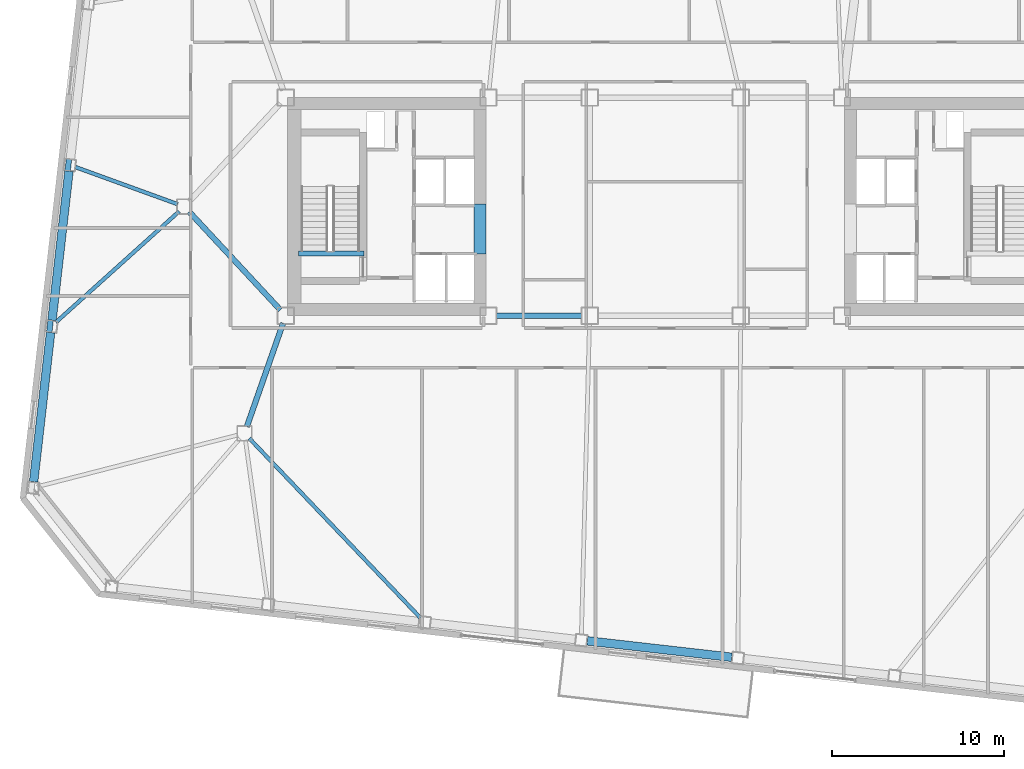
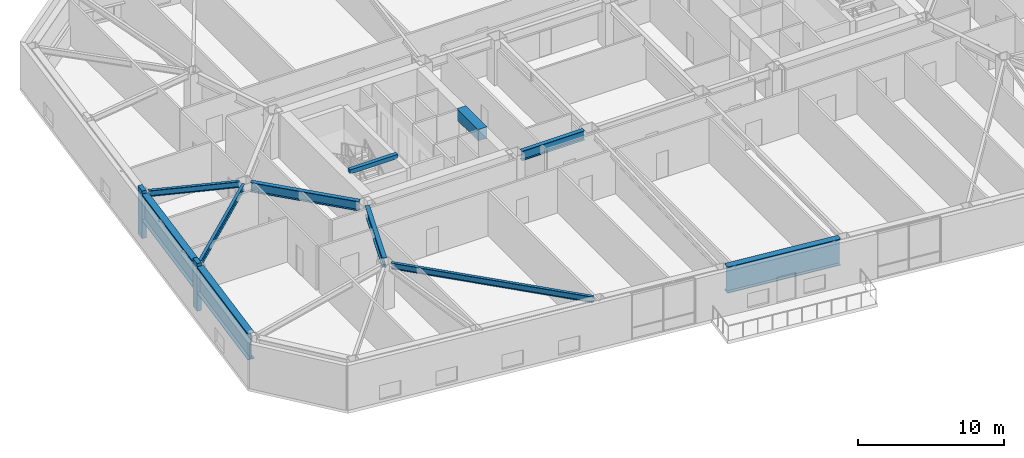
# One storey, part 3 of 21: 11 beams, 2 members.
"""IFC4 building model written with IfcOpenShell, lengths in metres."""

from ifc_helpers import new_model, si_unit, direction, frame, origin, origin_2d, place, context, subcontext, project, spatial, rectangle, i_section, extrude, material, material_profile, profile_set, type_object, element, save


model = new_model("IFC4")

# Units and contexts
model_context = context("Model", 3, precision=1e-05, world=origin(), true_north=direction((0.0, 1.0)))
body_context = subcontext(model_context, "Body", "Model", "MODEL_VIEW")
ifc_project = project(units=[si_unit("LENGTHUNIT", "METRE"), si_unit("AREAUNIT", "SQUARE_METRE"), si_unit("VOLUMEUNIT", "CUBIC_METRE"), si_unit("PLANEANGLEUNIT", "RADIAN"), si_unit("MASSUNIT", "GRAM", prefix="KILO")], contexts=[model_context])

# Site, building, storey
site_placement = place(None, origin())
site = spatial("IfcSite", under=ifc_project, at=site_placement, CompositionType="ELEMENT")
building_placement = place(site_placement, origin())
building = spatial("IfcBuilding", under=site, at=building_placement, Name="Tavrogorsk Clinical Tower", CompositionType="ELEMENT")
storey_placement = place(building_placement, frame((0.0, 0.0, 109.39990234375)))
storey = spatial("IfcBuildingStorey", under=building, at=storey_placement, Name="L24", CompositionType="ELEMENT", Elevation=109.39990234375)

# Beams
ifc_material_1 = material(Name="Concrete B80", Category="concrete")
ifc_material_profile_1 = material_profile(ifc_material_1, rectangle(XDim=0.699951171875, YDim=0.949951171875, at=origin_2d()), Name="RC-CB-700x950")
ifc_profile_set_1 = profile_set([ifc_material_profile_1], Name="Concrete B80")
beam_type_1 = type_object("IfcBeamType", Name="CouplingBeam_RC700x950", PredefinedType="LINTEL", material=ifc_profile_set_1)
beam_1_placement = place(storey_placement, frame((-10.800048828125, -2.75, 3.26513671875), z_axis=(0.0, 1.0, 0.0), x_axis=(-1.0, 0.0, 0.0)))
element("IfcBeam", 1, at=beam_1_placement, inside=storey, type_object=beam_type_1, Name="L24 Core West Coupling Beam", PredefinedType="LINTEL", context=body_context, shape_type="SweptSolid", body=[
    extrude(rectangle(XDim=0.699951171875, YDim=0.949951171875, at=origin_2d()), origin(), (0.0, 0.0, 1.0), 2.89990234375),
])
ifc_material_2 = material(Name="Structural steel S355", Category="steel")
ifc_material_profile_2 = material_profile(ifc_material_2, i_section(OverallWidth=0.219970703125, OverallDepth=0.5, WebThickness=0.012939453125, FlangeThickness=0.02001953125, at=origin_2d()), Name="B-500x220x13x20")
ifc_profile_set_2 = profile_set([ifc_material_profile_2], Name="Structural steel S355")
beam_type_2 = type_object("IfcBeamType", Name="FloorBeam_B500", PredefinedType="BEAM", material=ifc_profile_set_2)
beam_2_placement = place(storey_placement, frame((-24.217041015625, -13.496826171875, 3.489990234375), z_axis=(0.689995410805, -0.723813741972, 0.0), x_axis=(0.723813741972, 0.689995410805, 0.0)))
element("IfcBeam", 2, at=beam_2_placement, inside=storey, type_object=beam_type_2, Name="L24 Radial Floor Beam S3", PredefinedType="BEAM", context=body_context, shape_type="SweptSolid", body=[
    extrude(i_section(OverallWidth=0.219970703125, OverallDepth=0.5, WebThickness=0.012939453125, FlangeThickness=0.02001953125, at=origin_2d()), origin(), (0.0, 0.0, 1.0), 14.4384765625),
])
beam_3_placement = place(storey_placement, frame((-28.385498046875, 0.139892578125, 3.489990234375), z_axis=(-0.939993443432, 0.341192506225, 0.0), x_axis=(-0.341192506225, -0.939993443432, 0.0)))
element("IfcBeam", 3, at=beam_3_placement, inside=storey, type_object=beam_type_2, Name="L24 Radial Floor Beam W3", PredefinedType="BEAM", context=body_context, shape_type="SweptSolid", body=[
    extrude(i_section(OverallWidth=0.219970703125, OverallDepth=0.5, WebThickness=0.012939453125, FlangeThickness=0.02001953125, at=origin_2d()), origin(), (0.0, 0.0, 1.0), 6.33837890625),
])
beam_4_placement = place(storey_placement, frame((-28.3046875, -0.274169921875, 3.489990234375), z_axis=(-0.743369550828, -0.668880939257, 0.0), x_axis=(0.668880939257, -0.743369550828, 0.0)))
element("IfcBeam", 4, at=beam_4_placement, inside=storey, type_object=beam_type_2, Name="L24 Radial Floor Beam W4", PredefinedType="BEAM", context=body_context, shape_type="SweptSolid", body=[
    extrude(i_section(OverallWidth=0.219970703125, OverallDepth=0.5, WebThickness=0.012939453125, FlangeThickness=0.02001953125, at=origin_2d()), origin(), (0.0, 0.0, 1.0), 9.658935546875),
])

# Members
ifc_material_3 = material(Name="Precast concrete B45 with limestone cladding", Category="masonry")
ifc_material_profile_3 = material_profile(ifc_material_3, rectangle(XDim=0.320068359375, YDim=0.719970703125, at=origin_2d()), Name="LIMESTONE-FIN-320x720")
ifc_profile_set_3 = profile_set([ifc_material_profile_3], Name="Precast concrete B45 with limestone cladding")
member_type = type_object("IfcMemberType", Name="LimestonePleatFin_320x720", PredefinedType="USERDEFINED", material=ifc_profile_set_3)
for number, where, z_axis, x_axis, name in (
    (5, (-34.759521484375, 2.433837890625, 0.0), (0.0, 0.0, 1.0), (0.993571855677, -0.113203213768, 0.0), "L24 W Pleated Stone Fin 2"),
    (6, (-35.83056640625, -6.96533203125, 0.0), (0.0, 0.0, 1.0), (0.993571855677, -0.113203213768, 0.0), "L24 W Pleated Stone Fin 3"),
):
    element("IfcMember", number, at=place(storey_placement, frame(where, z_axis=z_axis, x_axis=x_axis)), inside=storey, type_object=member_type, Name=name, ObjectType="FIN", PredefinedType="USERDEFINED", context=body_context, shape_type="SweptSolid", body=[
        extrude(rectangle(XDim=0.320068359375, YDim=0.719970703125, at=origin_2d()), origin(), (0.0, 0.0, 1.0), 4.0),
    ])

# Beams
ifc_material_4 = material(Name="Structural steel S390", Category="steel")
ifc_material_profile_4 = material_profile(ifc_material_4, i_section(OverallWidth=0.320068359375, OverallDepth=0.800048828125, WebThickness=0.02001953125, FlangeThickness=0.033935546875, at=origin_2d()), Name="B-800x320x20x34")
ifc_profile_set_4 = profile_set([ifc_material_profile_4], Name="Structural steel S390")
beam_type_3 = type_object("IfcBeamType", Name="PrimaryGirder_B800", PredefinedType="USERDEFINED", material=ifc_profile_set_4)
beam_5_placement = place(storey_placement, frame((-9.840087890625, -6.35009765625, 3.340087890625), z_axis=(1.0, 0.0, 0.0), x_axis=(0.0, 1.0, 0.0)))
element("IfcBeam", 7, at=beam_5_placement, inside=storey, type_object=beam_type_3, Name="L24 Primary Spine Girder MG-01", ObjectType="GIRDER", PredefinedType="USERDEFINED", context=body_context, shape_type="SweptSolid", body=[
    extrude(i_section(OverallWidth=0.320068359375, OverallDepth=0.800048828125, WebThickness=0.02001953125, FlangeThickness=0.033935546875, at=origin_2d()), origin(), (0.0, 0.0, 1.0), 4.97998046875),
])
beam_6_placement = place(storey_placement, frame((-24.364501953125, -12.81298828125, 3.340087890625), z_axis=(0.330660234815, 0.943749865755, 0.0), x_axis=(-0.943749865755, 0.330660234815, 0.0)))
element("IfcBeam", 8, at=beam_6_placement, inside=storey, type_object=beam_type_3, Name="L24 Spine Link Girder OPG-1", ObjectType="GIRDER", PredefinedType="USERDEFINED", context=body_context, shape_type="SweptSolid", body=[
    extrude(i_section(OverallWidth=0.320068359375, OverallDepth=0.800048828125, WebThickness=0.02001953125, FlangeThickness=0.033935546875, at=origin_2d()), origin(), (0.0, 0.0, 1.0), 6.38818359375),
])
beam_7_placement = place(storey_placement, frame((-27.720947265625, -0.30029296875, 3.340087890625), z_axis=(0.680675630035, -0.732584934787, 0.0), x_axis=(0.732584934787, 0.680675630035, 0.0)))
element("IfcBeam", 9, at=beam_7_placement, inside=storey, type_object=beam_type_3, Name="L24 Spine Link Girder OPG-5", ObjectType="GIRDER", PredefinedType="USERDEFINED", context=body_context, shape_type="SweptSolid", body=[
    extrude(i_section(OverallWidth=0.320068359375, OverallDepth=0.800048828125, WebThickness=0.02001953125, FlangeThickness=0.033935546875, at=origin_2d()), origin(), (0.0, 0.0, 1.0), 7.7978515625),
])
ifc_material_5 = material(Name="Concrete B60", Category="concrete")
ifc_material_profile_5 = material_profile(ifc_material_5, rectangle(XDim=0.300048828125, YDim=0.35009765625, at=origin_2d()), Name="RC-SHB-300x350")
ifc_profile_set_5 = profile_set([ifc_material_profile_5], Name="Concrete B60")
beam_type_4 = type_object("IfcBeamType", Name="StairHeaderBeam_RC300x350", PredefinedType="BEAM", material=ifc_profile_set_5)
beam_8_placement = place(storey_placement, frame((-21.35009765625, -2.719970703125, 3.8251953125), z_axis=(1.0, 0.0, 0.0), x_axis=(0.0, 1.0, 0.0)))
element("IfcBeam", 10, at=beam_8_placement, inside=storey, type_object=beam_type_4, Name="L25 ST-W Landing Header Beam", PredefinedType="BEAM", context=body_context, shape_type="SweptSolid", body=[
    extrude(rectangle(XDim=0.300048828125, YDim=0.35009765625, at=origin_2d()), origin(), (0.0, 0.0, 1.0), 3.800048828125),
])
ifc_material_6 = material(Name="Structural steel S440", Category="steel")
ifc_material_profile_6 = material_profile(ifc_material_6, i_section(OverallWidth=0.5, OverallDepth=2.199951171875, WebThickness=0.035888671875, FlangeThickness=0.054931640625, at=origin_2d()), Name="DK-2200x500x36x55")
ifc_profile_set_6 = profile_set([ifc_material_profile_6], Name="Structural steel S440")
beam_type_5 = type_object("IfcBeamType", Name="TransferGirder_DK2200", PredefinedType="USERDEFINED", material=ifc_profile_set_6)
beam_9_placement = place(storey_placement, frame((-4.533935546875, -25.2861328125, 2.64013671875), z_axis=(0.993572695356, -0.113195843756, 0.0), x_axis=(0.113195843756, 0.993572695356, 0.0)))
element("IfcBeam", 11, at=beam_9_placement, inside=storey, type_object=beam_type_5, Name="L24 Perimeter Spandrel S4-S5", ObjectType="GIRDER", PredefinedType="USERDEFINED", context=body_context, shape_type="SweptSolid", body=[
    extrude(i_section(OverallWidth=0.5, OverallDepth=2.199951171875, WebThickness=0.035888671875, FlangeThickness=0.054931640625, at=origin_2d()), origin(), (0.0, 0.0, 1.0), 8.461181640625),
])
for number, where, z_axis, x_axis, name in (
    (12, (-34.720703125, 2.069091796875, 2.64013671875), (-0.113192226434, -0.993573107464, 0.0), (0.993573107464, -0.113192226434, 0.0), "L24 Perimeter Spandrel W3-W4"),
    (13, (-35.79150390625, -7.330078125, 2.64013671875), (-0.113192226434, -0.993573107464, 0.0), (0.993573107464, -0.113192226434, 0.0), "L24 Perimeter Spandrel W4-W5"),
):
    element("IfcBeam", number, at=place(storey_placement, frame(where, z_axis=z_axis, x_axis=x_axis)), inside=storey, type_object=beam_type_5, Name=name, ObjectType="GIRDER", PredefinedType="USERDEFINED", context=body_context, shape_type="SweptSolid", body=[
        extrude(i_section(OverallWidth=0.5, OverallDepth=2.199951171875, WebThickness=0.035888671875, FlangeThickness=0.054931640625, at=origin_2d()), origin(), (0.0, 0.0, 1.0), 8.743896484375),
    ])

save(model, "model.ifc")
